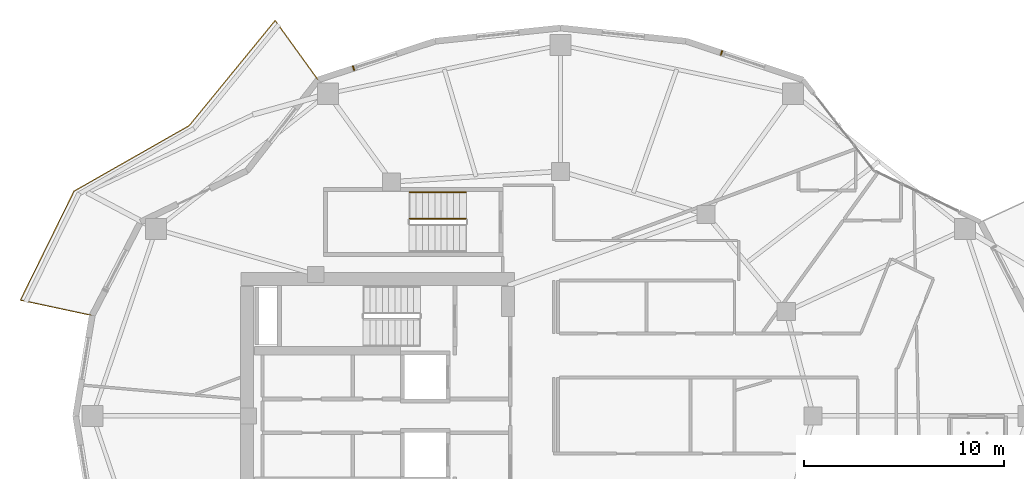
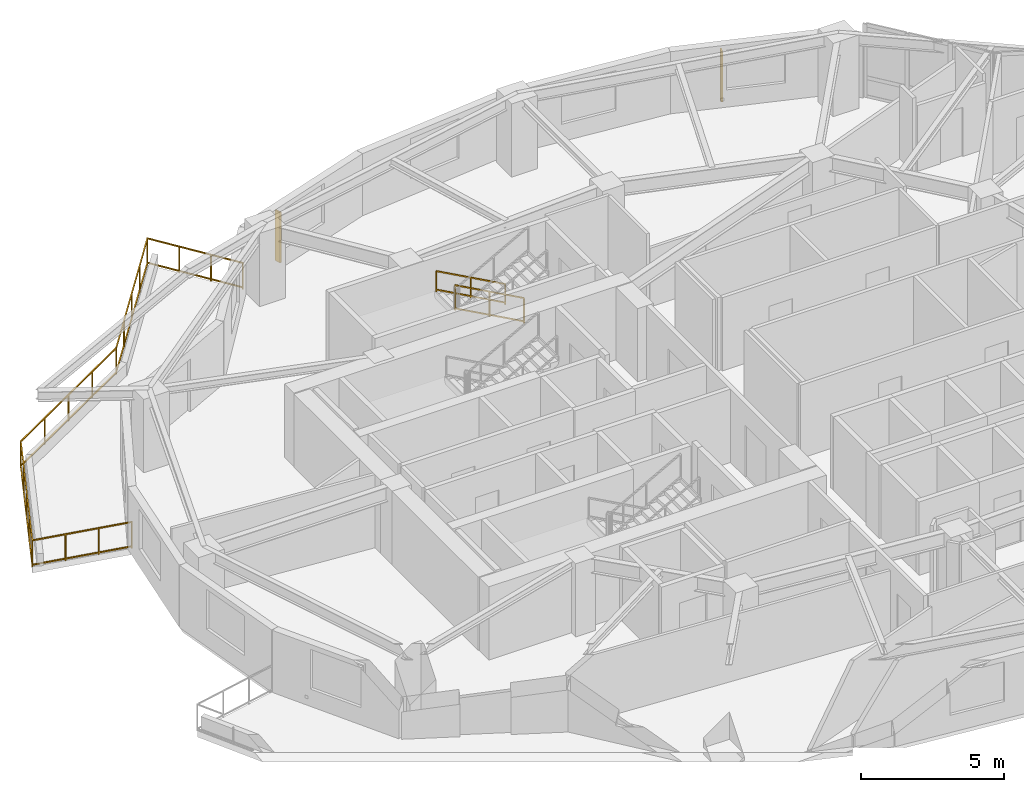
# One storey, part 15 of 15: 3 railings, 2 shading devices.
"""IFC4 building model written with IfcOpenShell, lengths in metres."""

from ifc_helpers import new_model, si_unit, direction, frame, origin, origin_2d, place, context, subcontext, project, spatial, rectangle, extrude, material, type_object, element, save


model = new_model("IFC4")

# Units and contexts
model_context = context("Model", 3, precision=1e-05, world=origin(), true_north=direction((0.0, 1.0)))
body_context = subcontext(model_context, "Body", "Model", "MODEL_VIEW")
ifc_project = project(units=[si_unit("LENGTHUNIT", "METRE"), si_unit("AREAUNIT", "SQUARE_METRE"), si_unit("VOLUMEUNIT", "CUBIC_METRE"), si_unit("PLANEANGLEUNIT", "RADIAN"), si_unit("MASSUNIT", "GRAM", prefix="KILO")], contexts=[model_context])

# Site, building, storey
site_placement = place(None, origin())
site = spatial("IfcSite", under=ifc_project, at=site_placement, CompositionType="ELEMENT")
building_placement = place(site_placement, origin())
building = spatial("IfcBuilding", under=site, at=building_placement, Name="Kolvaren Gate Tower and Convention Centre", CompositionType="ELEMENT")
storey_placement = place(building_placement, frame((0.0, 0.0, 129.10009765625)))
storey = spatial("IfcBuildingStorey", under=building, at=storey_placement, Name="L32", CompositionType="ELEMENT", Elevation=129.10009765625)

# Railings
ifc_material_1 = material(Name="Brushed Stainless Steel Grade 316L", Category="steel")
railing_type_1 = type_object("IfcRailingType", Name="ARCH-RL-GUARD-1150", PredefinedType="GUARDRAIL", material=ifc_material_1)
railing_1_placement = place(storey_placement, frame((25.39990234375, 36.830078125, 0.169921875)))
element("IfcRailing", 1, at=railing_1_placement, inside=storey, type_object=railing_type_1, Name="L32 ST-T3 stair guard 1", PredefinedType="GUARDRAIL", context=body_context, shape_type="SweptSolid", body=[
    extrude(rectangle(XDim=0.048095703125, YDim=0.048095703125, at=origin_2d()), frame((0.0, 0.0, 1.076171875), z_axis=(-0.8767936245, 0.0, 0.480866863109), x_axis=(0.0, -1.0, 0.0)), (0.0, 0.0, 1.0), 3.181884765625),
    extrude(rectangle(XDim=0.048095703125, YDim=0.048095703125, at=origin_2d()), frame((0.0, 0.0, 0.083984375), z_axis=(-0.8767936245, 0.0, 0.480866863109), x_axis=(0.0, -1.0, 0.0)), (0.0, 0.0, 1.0), 3.181884765625),
    extrude(rectangle(XDim=0.0419921875, YDim=0.0419921875, at=origin_2d()), origin(), (0.0, 0.0, 1.0), 1.050048828125),
    extrude(rectangle(XDim=0.0419921875, YDim=0.0419921875, at=origin_2d()), frame((-2.789794921875, 0.0, 1.530029296875)), (0.0, 0.0, 1.0), 1.050048828125),
    extrude(rectangle(XDim=0.0419921875, YDim=0.0419921875, at=origin_2d()), frame((-1.39501953125, 0.0, 0.76513671875)), (0.0, 0.0, 1.0), 1.050048828125),
])
railing_2_placement = place(storey_placement, frame((18.03125, 43.757568359375, 0.0)))
element("IfcRailing", 2, at=railing_2_placement, inside=storey, type_object=railing_type_1, Name="Tower L32 Terrace Perimeter Guardrail GR-1", PredefinedType="GUARDRAIL", context=body_context, shape_type="SweptSolid", body=[
    extrude(rectangle(XDim=0.048095703125, YDim=0.048095703125, at=origin_2d()), frame((-0.016357421875, 0.022705078125, 1.1259765625), z_axis=(-0.585212870465, 0.810879705161, 0.0), x_axis=(-0.810879705161, -0.585212870465, 0.0)), (0.0, 0.0, 1.0), 3.603759765625),
    extrude(rectangle(XDim=0.048095703125, YDim=0.048095703125, at=origin_2d()), frame((-0.016357421875, 0.022705078125, 0.083984375), z_axis=(-0.585212870465, 0.810879705161, 0.0), x_axis=(-0.810879705161, -0.585212870465, 0.0)), (0.0, 0.0, 1.0), 3.603759765625),
    extrude(rectangle(XDim=0.048095703125, YDim=0.048095703125, at=origin_2d()), frame((-2.15966796875, 2.946044921875, 1.1259765625), z_axis=(-0.633002467947, -0.77414977593, 0.0), x_axis=(0.77414977593, -0.633002467947, 0.0)), (0.0, 0.0, 1.0), 6.724365234375),
    extrude(rectangle(XDim=0.048095703125, YDim=0.048095703125, at=origin_2d()), frame((-2.15966796875, 2.946044921875, 0.083984375), z_axis=(-0.633002467947, -0.77414977593, 0.0), x_axis=(0.77414977593, -0.633002467947, 0.0)), (0.0, 0.0, 1.0), 6.724365234375),
    extrude(rectangle(XDim=0.048095703125, YDim=0.048095703125, at=origin_2d()), frame((-6.458251953125, -2.295166015625, 1.1259765625), z_axis=(-0.869196694318, -0.494466486819, 0.0), x_axis=(0.494466486819, -0.869196694318, 0.0)), (0.0, 0.0, 1.0), 6.55029296875),
    extrude(rectangle(XDim=0.048095703125, YDim=0.048095703125, at=origin_2d()), frame((-6.458251953125, -2.295166015625, 0.083984375), z_axis=(-0.869196694318, -0.494466486819, 0.0), x_axis=(0.494466486819, -0.869196694318, 0.0)), (0.0, 0.0, 1.0), 6.55029296875),
    extrude(rectangle(XDim=0.048095703125, YDim=0.048095703125, at=origin_2d()), frame((-12.1884765625, -5.572998046875, 1.1259765625), z_axis=(-0.441237167293, -0.897390529368, 0.0), x_axis=(0.897390529368, -0.441237167293, 0.0)), (0.0, 0.0, 1.0), 5.999755859375),
    extrude(rectangle(XDim=0.048095703125, YDim=0.048095703125, at=origin_2d()), frame((-12.1884765625, -5.572998046875, 0.083984375), z_axis=(-0.441237167293, -0.897390529368, 0.0), x_axis=(0.897390529368, -0.441237167293, 0.0)), (0.0, 0.0, 1.0), 5.999755859375),
    extrude(rectangle(XDim=0.048095703125, YDim=0.048095703125, at=origin_2d()), frame((-14.82080078125, -10.98828125, 1.1259765625), z_axis=(0.977788745232, -0.209592866525, 0.0), x_axis=(0.209592866525, 0.977788745232, 0.0)), (0.0, 0.0, 1.0), 3.603759765625),
    extrude(rectangle(XDim=0.048095703125, YDim=0.048095703125, at=origin_2d()), frame((-14.82080078125, -10.98828125, 0.083984375), z_axis=(0.977788745232, -0.209592866525, 0.0), x_axis=(0.209592866525, 0.977788745232, 0.0)), (0.0, 0.0, 1.0), 3.603759765625),
    extrude(rectangle(XDim=0.0419921875, YDim=0.0419921875, at=origin_2d()), origin(), (0.0, 0.0, 1.0), 1.14990234375),
    extrude(rectangle(XDim=0.0419921875, YDim=0.0419921875, at=origin_2d()), frame((-2.141845703125, 2.9677734375, 0.0)), (0.0, 0.0, 1.0), 1.14990234375),
    extrude(rectangle(XDim=0.0419921875, YDim=0.0419921875, at=origin_2d()), frame((-0.7138671875, 0.9892578125, 0.0)), (0.0, 0.0, 1.0), 1.099853515625),
    extrude(rectangle(XDim=0.0419921875, YDim=0.0419921875, at=origin_2d()), frame((-1.427978515625, 1.978515625, 0.0)), (0.0, 0.0, 1.0), 1.099853515625),
    extrude(rectangle(XDim=0.0419921875, YDim=0.0419921875, at=origin_2d()), frame((-6.433837890625, -2.28125, 0.0)), (0.0, 0.0, 1.0), 1.14990234375),
    extrude(rectangle(XDim=0.0419921875, YDim=0.0419921875, at=origin_2d()), frame((-3.21484375, 1.655517578125, 0.0)), (0.0, 0.0, 1.0), 1.099853515625),
    extrude(rectangle(XDim=0.0419921875, YDim=0.0419921875, at=origin_2d()), frame((-4.287841796875, 0.34326171875, 0.0)), (0.0, 0.0, 1.0), 1.099853515625),
    extrude(rectangle(XDim=0.0419921875, YDim=0.0419921875, at=origin_2d()), frame((-5.36083984375, -0.968994140625, 0.0)), (0.0, 0.0, 1.0), 1.099853515625),
    extrude(rectangle(XDim=0.0419921875, YDim=0.0419921875, at=origin_2d()), frame((-12.176025390625, -5.5478515625, 0.0)), (0.0, 0.0, 1.0), 1.14990234375),
    extrude(rectangle(XDim=0.0419921875, YDim=0.0419921875, at=origin_2d()), frame((-7.869384765625, -3.097900390625, 0.0)), (0.0, 0.0, 1.0), 1.099853515625),
    extrude(rectangle(XDim=0.0419921875, YDim=0.0419921875, at=origin_2d()), frame((-9.304931640625, -3.91455078125, 0.0)), (0.0, 0.0, 1.0), 1.099853515625),
    extrude(rectangle(XDim=0.0419921875, YDim=0.0419921875, at=origin_2d()), frame((-10.740478515625, -4.731201171875, 0.0)), (0.0, 0.0, 1.0), 1.099853515625),
    extrude(rectangle(XDim=0.0419921875, YDim=0.0419921875, at=origin_2d()), frame((-14.84814453125, -10.982421875, 0.0)), (0.0, 0.0, 1.0), 1.14990234375),
    extrude(rectangle(XDim=0.0419921875, YDim=0.0419921875, at=origin_2d()), frame((-12.843994140625, -6.906494140625, 0.0)), (0.0, 0.0, 1.0), 1.099853515625),
    extrude(rectangle(XDim=0.0419921875, YDim=0.0419921875, at=origin_2d()), frame((-13.51220703125, -8.26513671875, 0.0)), (0.0, 0.0, 1.0), 1.099853515625),
    extrude(rectangle(XDim=0.0419921875, YDim=0.0419921875, at=origin_2d()), frame((-14.18017578125, -9.623779296875, 0.0)), (0.0, 0.0, 1.0), 1.099853515625),
    extrude(rectangle(XDim=0.0419921875, YDim=0.0419921875, at=origin_2d()), frame((-11.26953125, -11.74951171875, 0.0)), (0.0, 0.0, 1.0), 1.14990234375),
    extrude(rectangle(XDim=0.0419921875, YDim=0.0419921875, at=origin_2d()), frame((-13.6552734375, -11.238037109375, 0.0)), (0.0, 0.0, 1.0), 1.099853515625),
    extrude(rectangle(XDim=0.0419921875, YDim=0.0419921875, at=origin_2d()), frame((-12.46240234375, -11.493896484375, 0.0)), (0.0, 0.0, 1.0), 1.099853515625),
])
railing_type_2 = type_object("IfcRailingType", Name="ARCH-RL-HANDRAIL-920", PredefinedType="HANDRAIL", material=ifc_material_1)
railing_3_placement = place(storey_placement, frame((25.39990234375, 38.14990234375, 0.169921875)))
element("IfcRailing", 3, at=railing_3_placement, inside=storey, type_object=railing_type_2, Name="L32 ST-T3 stair handrail 1", PredefinedType="HANDRAIL", context=body_context, shape_type="SweptSolid", body=[
    extrude(rectangle(XDim=0.048095703125, YDim=0.048095703125, at=origin_2d()), frame((0.0, 0.0, 0.8759765625), z_axis=(-0.8767936245, 0.0, 0.480866863109), x_axis=(0.0, -1.0, 0.0)), (0.0, 0.0, 1.0), 3.181884765625),
    extrude(rectangle(XDim=0.048095703125, YDim=0.048095703125, at=origin_2d()), frame((0.0, 0.0, 0.083984375), z_axis=(-0.8767936245, 0.0, 0.480866863109), x_axis=(0.0, -1.0, 0.0)), (0.0, 0.0, 1.0), 3.181884765625),
    extrude(rectangle(XDim=0.0419921875, YDim=0.0419921875, at=origin_2d()), origin(), (0.0, 0.0, 1.0), 0.849853515625),
    extrude(rectangle(XDim=0.0419921875, YDim=0.0419921875, at=origin_2d()), frame((-2.789794921875, 0.0, 1.530029296875)), (0.0, 0.0, 1.0), 0.849853515625),
    extrude(rectangle(XDim=0.0419921875, YDim=0.0419921875, at=origin_2d()), frame((-1.39501953125, 0.0, 0.76513671875)), (0.0, 0.0, 1.0), 0.849853515625),
])

# Shading devices
ifc_material_2 = material(Name="Kiln-Fired Bogota Terracotta Ceramic Louvre Profile", Category="masonry")
shading_device_type = type_object("IfcShadingDeviceType", Name="ARCH-SHD-FIN-180", PredefinedType="JALOUSIE", material=ifc_material_2)
for number, where, z_axis, x_axis, name in (
    (4, (38.153564453125, 45.104736328125, 0.219970703125), (0.0, 0.0, 1.0), (0.949240081615, -0.314552487599, 0.0), "Ceramic Vertical Brise-Soleil Fin FN-L32-04"),
    (5, (19.7998046875, 44.343505859375, 0.219970703125), (0.0, 0.0, 1.0), (0.949238434609, 0.314557457804, 0.0), "Ceramic Vertical Brise-Soleil Fin FN-L32-07"),
):
    element("IfcShadingDevice", number, at=place(storey_placement, frame(where, z_axis=z_axis, x_axis=x_axis)), inside=storey, type_object=shading_device_type, Name=name, PredefinedType="JALOUSIE", context=body_context, shape_type="SweptSolid", body=[
        extrude(rectangle(XDim=0.06005859375, YDim=0.239990234375, at=origin_2d()), origin(), (0.0, 0.0, 1.0), 2.14990234375),
    ])

save(model, "model.ifc")
